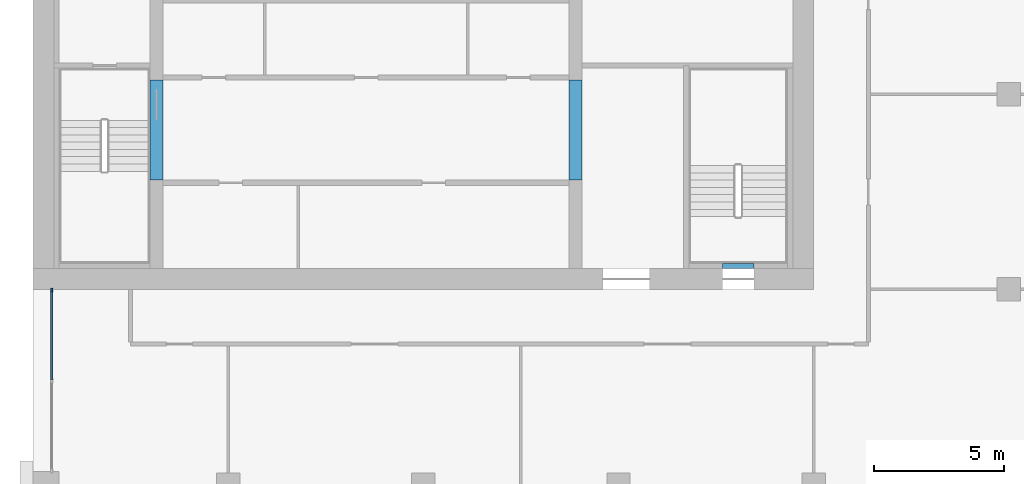
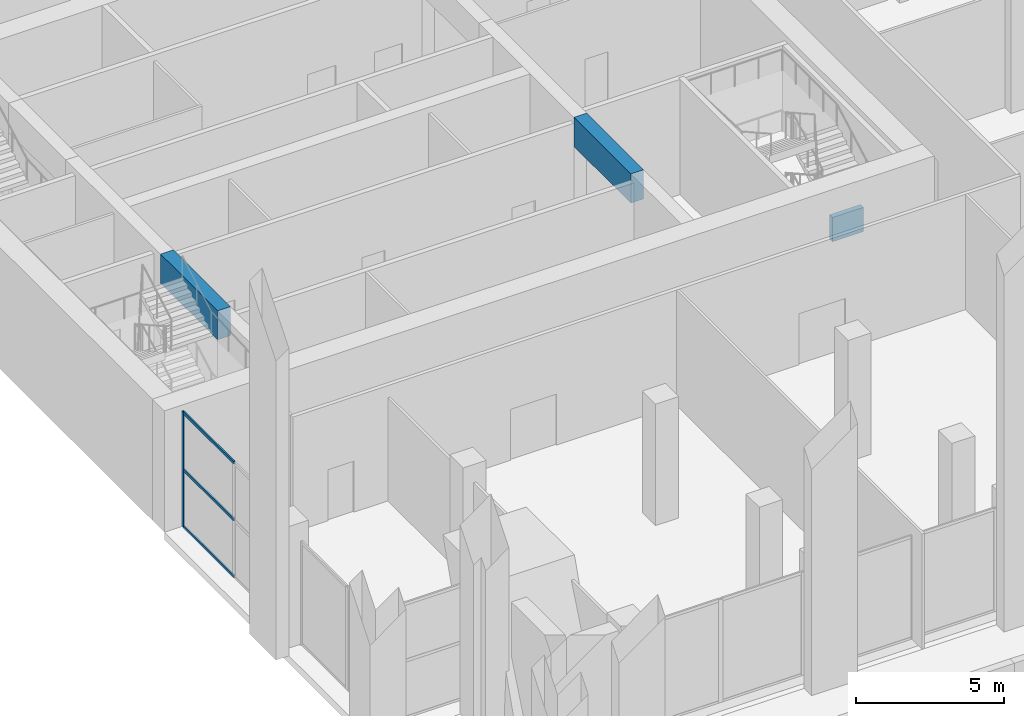
# One storey, part 3 of 19: 4 members, 3 beams, 1 element without a shape of its own.
"""IFC4 building model written with IfcOpenShell, lengths in metres."""

from ifc_helpers import new_model, si_unit, direction, frame, origin, origin_2d, place, context, subcontext, project, spatial, rectangle, extrude, material, layer, layer_set, material_profile, profile_set, type_object, element, aggregate, save


model = new_model("IFC4")

# Units and contexts
model_context = context("Model", 3, precision=1e-05, world=origin(), true_north=direction((0.0, 1.0)))
body_context = subcontext(model_context, "Body", "Model", "MODEL_VIEW")
ifc_project = project(units=[si_unit("LENGTHUNIT", "METRE"), si_unit("AREAUNIT", "SQUARE_METRE"), si_unit("VOLUMEUNIT", "CUBIC_METRE"), si_unit("PLANEANGLEUNIT", "RADIAN"), si_unit("MASSUNIT", "GRAM", prefix="KILO")], contexts=[model_context])

# Site, building, storey
site_placement = place(None, origin())
site = spatial("IfcSite", under=ifc_project, at=site_placement, CompositionType="ELEMENT")
building_placement = place(site_placement, origin())
building = spatial("IfcBuilding", under=site, at=building_placement, Name="Tamorin Gate", CompositionType="ELEMENT")
storey_placement = place(building_placement, frame((0.0, 0.0, 174.199951171875)))
storey = spatial("IfcBuildingStorey", under=building, at=storey_placement, Name="L42", CompositionType="ELEMENT", Elevation=174.199951171875)

# Curtain wall, members
ifc_material_1 = material(Name="Aluminium mullions and transoms with clear glass", Category="aluminium")
ifc_layer = layer(ifc_material_1, 0.159912109375)
ifc_layer_set = layer_set([ifc_layer], Name="Curtain wall system CW2")
curtain_wall_type = type_object("IfcCurtainWallType", Name="Curtain wall system CW2", PredefinedType="NOTDEFINED", material=ifc_layer_set)
curtain_wall_placement = place(storey_placement, origin())
curtain_wall = element("IfcCurtainWall", 1, at=curtain_wall_placement, inside=storey, type_object=curtain_wall_type, Name="Curtain wall", PredefinedType="NOTDEFINED")
ifc_material_2 = material(Name="Aluminium", Category="aluminium")
ifc_material_profile_1 = material_profile(ifc_material_2, rectangle(XDim=0.06005859375, YDim=0.159912109375, at=origin_2d()), Name="RECT 60x160")
ifc_profile_set_1 = profile_set([ifc_material_profile_1], Name="Aluminium")
member_type_1 = type_object("IfcMemberType", Name="Aluminium mullion 60x160", PredefinedType="MULLION", material=ifc_profile_set_1)
member_1_placement = place(storey_placement, frame((30.719970703125, 59.969970703125, 0.0), z_axis=(0.0, 0.0, 1.0), x_axis=(1.0, 0.0, 0.0)))
member_1 = element("IfcMember", 2, at=member_1_placement, type_object=member_type_1, Name="CW2 mullion 1", PredefinedType="MULLION", context=body_context, shape_type="SweptSolid", body=[
    extrude(rectangle(XDim=0.06005859375, YDim=0.159912109375, at=origin_2d()), origin(), (0.0, 0.0, 1.0), 4.75),
])
ifc_material_profile_2 = material_profile(ifc_material_2, rectangle(XDim=0.06005859375, YDim=0.1201171875, at=origin_2d()), Name="RECT 60x120")
ifc_profile_set_2 = profile_set([ifc_material_profile_2], Name="Aluminium")
member_type_2 = type_object("IfcMemberType", Name="Aluminium transom 60x120", PredefinedType="USERDEFINED", material=ifc_profile_set_2)
member_2_placement = place(storey_placement, frame((30.719970703125, 59.93994140625, 0.030029296875), z_axis=(0.0, -1.0, 0.0), x_axis=(1.0, 0.0, 0.0)))
member_2 = element("IfcMember", 3, at=member_2_placement, type_object=member_type_2, Name="CW2 transom 1.1", ObjectType="TRANSOM", PredefinedType="USERDEFINED", context=body_context, shape_type="SweptSolid", body=[
    extrude(rectangle(XDim=0.06005859375, YDim=0.1201171875, at=origin_2d()), origin(), (0.0, 0.0, 1.0), 3.409912109375),
])
member_3_placement = place(storey_placement, frame((30.719970703125, 59.93994140625, 2.375), z_axis=(0.0, -1.0, 0.0), x_axis=(1.0, 0.0, 0.0)))
member_3 = element("IfcMember", 4, at=member_3_placement, type_object=member_type_2, Name="CW2 transom 1.2", ObjectType="TRANSOM", PredefinedType="USERDEFINED", context=body_context, shape_type="SweptSolid", body=[
    extrude(rectangle(XDim=0.06005859375, YDim=0.1201171875, at=origin_2d()), origin(), (0.0, 0.0, 1.0), 3.409912109375),
])
member_4_placement = place(storey_placement, frame((30.719970703125, 59.93994140625, 4.719970703125), z_axis=(0.0, -1.0, 0.0), x_axis=(1.0, 0.0, 0.0)))
member_4 = element("IfcMember", 5, at=member_4_placement, type_object=member_type_2, Name="CW2 transom 1.3", ObjectType="TRANSOM", PredefinedType="USERDEFINED", context=body_context, shape_type="SweptSolid", body=[
    extrude(rectangle(XDim=0.06005859375, YDim=0.1201171875, at=origin_2d()), origin(), (0.0, 0.0, 1.0), 3.409912109375),
])
aggregate(curtain_wall, [member_1, member_2, member_3, member_4])

# Beams
ifc_material_3 = material(Name="Concrete C60/75", Category="concrete")
ifc_material_profile_3 = material_profile(ifc_material_3, rectangle(XDim=0.5, YDim=1.199951171875, at=origin_2d()), Name="RC 500x1200")
ifc_profile_set_3 = profile_set([ifc_material_profile_3], Name="Concrete C60/75")
beam_type_1 = type_object("IfcBeamType", Name="RC coupling beam 500x1200 C60/75", PredefinedType="BEAM", material=ifc_profile_set_3)
for number, where, z_axis, x_axis, name in (
    (6, (34.75, 64.199951171875, 4.400146484375), (0.0, 1.0, 0.0), (-1.0, 0.0, 0.0), "Coupling beam L42"),
    (7, (50.85009765625, 64.199951171875, 4.400146484375), (0.0, 1.0, 0.0), (-1.0, 0.0, 0.0), "Coupling beam L42"),
):
    element("IfcBeam", number, at=place(storey_placement, frame(where, z_axis=z_axis, x_axis=x_axis)), inside=storey, type_object=beam_type_1, Name=name, PredefinedType="BEAM", context=body_context, shape_type="SweptSolid", body=[
        extrude(rectangle(XDim=0.5, YDim=1.199951171875, at=origin_2d()), origin(), (0.0, 0.0, 1.0), 3.85009765625),
    ])
ifc_material_profile_4 = material_profile(ifc_material_3, rectangle(XDim=0.199951171875, YDim=1.0, at=origin_2d()))
ifc_profile_set_4 = profile_set([ifc_material_profile_4], Name="Concrete C60/75")
beam_type_2 = type_object("IfcBeamType", Name="Stair lintel 200x1000 C60/75", PredefinedType="BEAM", material=ifc_profile_set_4)
beam_placement = place(storey_placement, frame((56.5, 60.89990234375, 2.699951171875), z_axis=(1.0, 0.0, 0.0), x_axis=(0.0, 1.0, 0.0)))
element("IfcBeam", 8, at=beam_placement, inside=storey, type_object=beam_type_2, Name="Stair lintel", PredefinedType="BEAM", context=body_context, shape_type="SweptSolid", body=[
    extrude(rectangle(XDim=0.199951171875, YDim=1.0, at=origin_2d()), origin(), (0.0, 0.0, 1.0), 1.199951171875),
])

save(model, "model.ifc")
